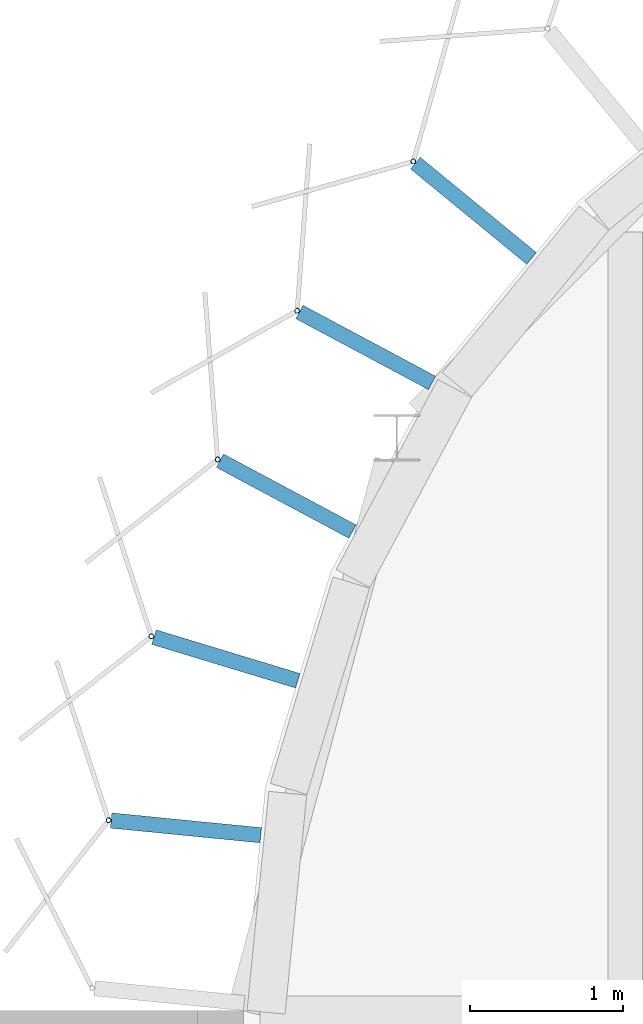
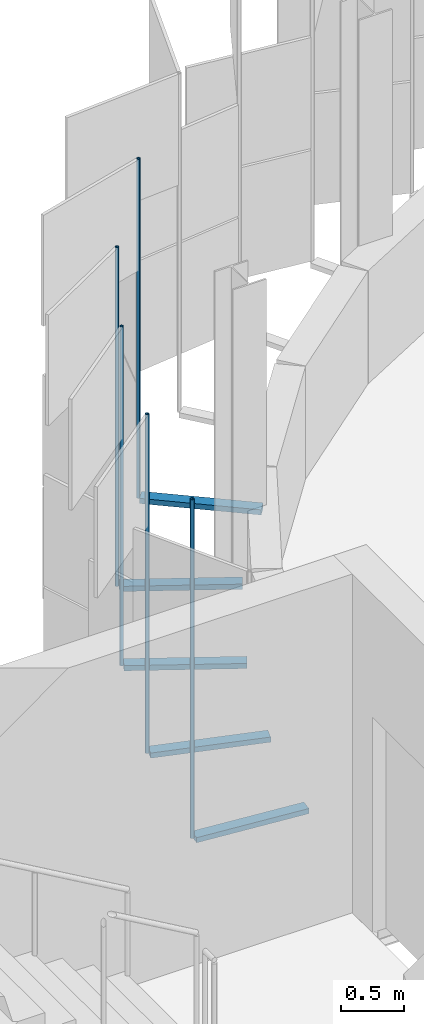
# One storey, part 131 of 198: 10 discrete accessories.
"""IFC4 building model written with IfcOpenShell, lengths in metres."""

import ifcopenshell
import ifcopenshell.guid

model = None  # the IFC model being written
_history = None  # IfcOwnerHistory: only IFC2X3 demands one
_inside = {}  # id of a spatial element -> (the spatial element, [elements in it])
_under = {}  # id of a project, library or spatial element -> (it, [spatial elements below it])
_declared = {}  # id of a project -> (the project, [libraries it declares])
_typed = {}  # id of a type object -> (the type object, [elements of that type])
_made_of = {}  # id of a material, layer set ... -> (it, [elements and type objects made of it])


def new_model(schema):
    """Start an empty IFC model of exactly this schema.

    Asked for "IFC4X3", IfcOpenShell would pick the latest addendum, in which some entities
    have other attributes; the version numbers below select the first issue.
    IFC2X3 requires an IfcOwnerHistory on every rooted entity: one is made here for all.
    """
    global model, _history
    if schema == "IFC4X3":
        model = ifcopenshell.file(schema_version=(4, 3, 0, 0))
    else:
        model = ifcopenshell.file(schema=schema)
    _inside.clear()
    _under.clear()
    _declared.clear()
    _typed.clear()
    _made_of.clear()
    _history = None
    if model.schema == "IFC2X3":
        org = make("IfcOrganization", Name="unknown")
        user = make(
            "IfcPersonAndOrganization",
            ThePerson=make("IfcPerson", FamilyName="unknown"),
            TheOrganization=org,
        )
        app = make(
            "IfcApplication",
            ApplicationDeveloper=org,
            Version="unknown",
            ApplicationFullName="unknown",
            ApplicationIdentifier="unknown",
        )
        _history = make(
            "IfcOwnerHistory",
            OwningUser=user,
            OwningApplication=app,
            ChangeAction="ADDED",
            CreationDate=0,
        )
    return model


def make(cls, **values):
    """One entity of the class cls with the attributes given. An attribute that is None is left unset."""
    return model.create_entity(
        cls, **{name: value for name, value in values.items() if value is not None}
    )


def rooted(cls, **values):
    """An entity with a GlobalId (a new one), such as an element, a storey or a relation."""
    return make(cls, GlobalId=ifcopenshell.guid.new(), OwnerHistory=_history, **values)


def si_unit(unit_type, name, prefix=None):
    """IfcSIUnit, for example si_unit("LENGTHUNIT", "METRE", prefix="MILLI")."""
    return make("IfcSIUnit", UnitType=unit_type, Prefix=prefix, Name=name)


def assignment(units):
    """IfcUnitAssignment: the units of a project."""
    return None if units is None else make("IfcUnitAssignment", Units=units)


def point(xyz):
    """IfcCartesianPoint."""
    return None if xyz is None else make("IfcCartesianPoint", Coordinates=xyz)


def direction(xyz):
    """IfcDirection."""
    return None if xyz is None else make("IfcDirection", DirectionRatios=xyz)


def frame(location, z_axis=None, x_axis=None):
    """IfcAxis2Placement3D, a coordinate frame: its origin and axes. An axis left out is left unset."""
    return make(
        "IfcAxis2Placement3D",
        Location=point(location),
        Axis=direction(z_axis),
        RefDirection=direction(x_axis),
    )


def frame_2d(location, x_axis=None):
    """IfcAxis2Placement2D, a coordinate frame in the plane: its origin and x axis."""
    return make(
        "IfcAxis2Placement2D", Location=point(location), RefDirection=direction(x_axis)
    )


def origin():
    """The frame at (0, 0, 0) with its axes left unset."""
    return frame((0.0, 0.0, 0.0))


def origin_2d():
    """The frame at (0, 0) in the plane with its x axis left unset."""
    return frame_2d((0.0, 0.0))


def place(relative_to, where):
    """IfcLocalPlacement: puts the frame where relative to a parent placement (None: the world)."""
    return make(
        "IfcLocalPlacement", PlacementRelTo=relative_to, RelativePlacement=where
    )


def context(
    kind, dimensions, precision=None, world=None, true_north=None, identifier=None
):
    """IfcGeometricRepresentationContext, for example the 3D "Model" context."""
    return make(
        "IfcGeometricRepresentationContext",
        ContextIdentifier=identifier,
        ContextType=kind,
        CoordinateSpaceDimension=dimensions,
        Precision=precision,
        WorldCoordinateSystem=world,
        TrueNorth=true_north,
    )


def subcontext(parent, identifier, kind, view, scale=None):
    """IfcGeometricRepresentationSubContext, for example "Body" below "Model"."""
    return make(
        "IfcGeometricRepresentationSubContext",
        ContextIdentifier=identifier,
        ContextType=kind,
        ParentContext=parent,
        TargetScale=scale,
        TargetView=view,
    )


def project(units=None, contexts=None):
    """IfcProject with its units and contexts."""
    return rooted(
        "IfcProject",
        Name="project",
        RepresentationContexts=contexts,
        UnitsInContext=assignment(units),
    )


def spatial(cls, under=None, at=None, **own):
    """A site, building, storey or space (cls), placed at a placement, below another one or the project."""
    s = rooted(cls, ObjectPlacement=at, **own)
    if under is not None:
        _under.setdefault(under.id(), (under, []))[1].append(s)
    return s


def profile(cls, at=None, kind="AREA", **sizes):
    """A parametric profile (cls). Its sizes go by their IFC names, for example OverallWidth=200.0."""
    return make(cls, ProfileType=kind, Position=at, **sizes)


def rectangle(**sizes):
    """IfcRectangleProfileDef."""
    return profile("IfcRectangleProfileDef", **sizes)


def hollow_circle(**sizes):
    """IfcCircleHollowProfileDef."""
    return profile("IfcCircleHollowProfileDef", **sizes)


def extrude(swept, where, along, depth):
    """IfcExtrudedAreaSolid: the profile swept, set in the frame where, extruded along a direction by depth."""
    return make(
        "IfcExtrudedAreaSolid",
        SweptArea=swept,
        Position=where,
        ExtrudedDirection=direction(along),
        Depth=depth,
    )


def shape(context_of_items, identifier, shape_type, items):
    """IfcShapeRepresentation: the items that make up one representation, for example the "Body"."""
    return make(
        "IfcShapeRepresentation",
        ContextOfItems=context_of_items,
        RepresentationIdentifier=identifier,
        RepresentationType=shape_type,
        Items=items,
    )


def material(Name=None, Category=None):
    """IfcMaterial."""
    return make("IfcMaterial", Name=Name, Category=Category)


def material_profile(
    of_material, cross_section, Name=None, Category=None, Priority=None
):
    """IfcMaterialProfile: a cross section and its material."""
    return make(
        "IfcMaterialProfile",
        Name=Name,
        Material=of_material,
        Profile=cross_section,
        Priority=Priority,
        Category=Category,
    )


def profile_set(profiles, Name=None, composite=None):
    """IfcMaterialProfileSet."""
    return make(
        "IfcMaterialProfileSet",
        Name=Name,
        MaterialProfiles=profiles,
        CompositeProfile=composite,
    )


def made_of(thing, what):
    """Note that an element or type object is made of a material, layer set ...; save() writes the relation."""
    if what is not None:
        _made_of.setdefault(what.id(), (what, []))[1].append(thing)
    return thing


def type_object(cls, material=None, **own):
    """A type object (cls), such as IfcWallType, which elements share."""
    return made_of(rooted(cls, **own), material)


def element(
    cls,
    number,
    at=None,
    inside=None,
    cuts=None,
    type_object=None,
    material=None,
    context=None,
    identifier="Body",
    shape_type=None,
    held_by="IfcProductDefinitionShape",
    body=None,
    shapes=None,
    **own,
):
    """One element of the class cls, such as IfcWall. Its Tag is "e" and its number.

    at: its placement. inside: the storey or other place that contains it. cuts: it is an
    opening in that element (IfcRelVoidsElement). A single representation is given by context,
    identifier, shape_type and body (its items); several are given by shapes. held_by: the class
    of the entity that holds the representations. save() writes the other relations.
    """
    e = rooted(cls, Tag="e%d" % number, ObjectPlacement=at, **own)
    if body is not None:
        shapes = [shape(context, identifier, shape_type, body)]
    if shapes is not None:
        e.Representation = make(held_by, Representations=shapes)
    if inside is not None:
        _inside.setdefault(inside.id(), (inside, []))[1].append(e)
    if cuts is not None:
        rooted(
            "IfcRelVoidsElement", RelatingBuildingElement=cuts, RelatedOpeningElement=e
        )
    if type_object is not None:
        _typed.setdefault(type_object.id(), (type_object, []))[1].append(e)
    return made_of(e, material)


def aggregate(whole, parts):
    """IfcRelAggregates: a whole, such as a stair, and the parts it consists of."""
    return rooted("IfcRelAggregates", RelatingObject=whole, RelatedObjects=parts)


def save(model, path):
    """Write the relations noted so far, then the file.

    IfcRelAggregates (storeys below a building ...), IfcRelContainedInSpatialStructure (elements
    in a storey), IfcRelDefinesByType, IfcRelAssociatesMaterial and IfcRelDeclares: one each for
    every whole, place, type object, material and project.
    """
    for whole, parts in _under.values():
        aggregate(whole, parts)
    for where, things in _inside.values():
        rooted(
            "IfcRelContainedInSpatialStructure",
            RelatedElements=things,
            RelatingStructure=where,
        )
    for kind, things in _typed.values():
        rooted("IfcRelDefinesByType", RelatedObjects=things, RelatingType=kind)
    for what, things in _made_of.values():
        rooted("IfcRelAssociatesMaterial", RelatedObjects=things, RelatingMaterial=what)
    for by, libraries in _declared.values():
        rooted("IfcRelDeclares", RelatingContext=by, RelatedDefinitions=libraries)
    model.write(path)


model = new_model("IFC4")

# Units and contexts
model_context = context("Model", 3, precision=1e-05, world=origin(), true_north=direction((0.0, 1.0)))
body_context = subcontext(model_context, "Body", "Model", "MODEL_VIEW")
ifc_project = project(units=[si_unit("LENGTHUNIT", "METRE"), si_unit("AREAUNIT", "SQUARE_METRE"), si_unit("VOLUMEUNIT", "CUBIC_METRE"), si_unit("PLANEANGLEUNIT", "RADIAN"), si_unit("MASSUNIT", "GRAM", prefix="KILO")], contexts=[model_context])

# Site, building, storey
site_placement = place(None, origin())
site = spatial("IfcSite", under=ifc_project, at=site_placement, CompositionType="ELEMENT")
building_placement = place(site_placement, origin())
building = spatial("IfcBuilding", under=site, at=building_placement, Name="Parallax Yard Mobility Hub", CompositionType="ELEMENT")
storey_placement = place(building_placement, frame((0.0, 0.0, 6.60009765625)))
storey = spatial("IfcBuildingStorey", under=building, at=storey_placement, Name="L02", CompositionType="ELEMENT", Elevation=6.60009765625)

# Discrete accessories
ifc_material_1 = material(Name="Steel ASTM A36, hot-dip galvanised", Category="steel")
discrete_accessory_type_1 = type_object("IfcDiscreteAccessoryType", Name="Hinge bracket plate 100x50", PredefinedType="BRACKET", material=ifc_material_1)
for number, where, z_axis, x_axis, name in (
    (1, (24.005859375, 140.236328125, -0.02490234375), (0.0, 0.0, 1.0), (-0.773010453363, 0.634393284164, 0.0), "Hinge bracket plate bay 70.7 level L02"),
    (2, (23.30029296875, 139.341796875, -0.02490234375), (0.0, 0.0, 1.0), (-0.881921264348, 0.471396736826, 0.0), "Hinge bracket plate bay 70.8 level L02"),
    (3, (22.77978515625, 138.368408203125, -0.02490234375), (0.0, 0.0, 1.0), (-0.881921264348, 0.471396736826, 0.0), "Hinge bracket plate bay 70.9 level L02"),
    (4, (22.385009765625, 137.302490234375, -0.02490234375), (0.0, 0.0, 1.0), (-0.956940335732, 0.290284677254, 0.0), "Hinge bracket plate bay 70.10 level L02"),
    (5, (22.123779296875, 136.196533203125, -0.02490234375), (0.0, 0.0, 1.0), (-0.995184726672, 0.09801714033, 0.0), "Hinge bracket plate bay 70.11 level L02"),
):
    element("IfcDiscreteAccessory", number, at=place(storey_placement, frame(where, z_axis=z_axis, x_axis=x_axis)), inside=storey, type_object=discrete_accessory_type_1, Name=name, PredefinedType="BRACKET", context=body_context, shape_type="SweptSolid", body=[
        extrude(rectangle(XDim=0.984130859375, YDim=0.10009765625, at=origin_2d()), origin(), (0.0, 0.0, 1.0), 0.050048828125),
    ])
ifc_material_2 = material(Name="Steel ASTM A500 Gr C, hot-dip galvanised", Category="steel")
ifc_material_profile = material_profile(ifc_material_2, hollow_circle(Radius=0.016845703125, WallThickness=0.003173828125, at=origin_2d()), Name="CHS 33.7x3.2")
ifc_profile_set = profile_set([ifc_material_profile], Name="Steel ASTM A500 Gr C, hot-dip galvanised")
discrete_accessory_type_2 = type_object("IfcDiscreteAccessoryType", Name="Hinge post CHS 33.7x3.2", PredefinedType="BRACKET", material=ifc_profile_set)
for number, where, z_axis, x_axis, name in (
    (6, (23.61279296875, 140.55908203125, 0.0), (0.0, 0.0, 1.0), (1.0, 0.0, 0.0), "Hinge post bay 70.7 level L02"),
    (7, (22.851806640625, 139.58154296875, 0.0), (0.0, 0.0, 1.0), (1.0, 0.0, 0.0), "Hinge post bay 70.8 level L02"),
    (8, (22.33154296875, 138.608154296875, 0.0), (0.0, 0.0, 1.0), (1.0, 0.0, 0.0), "Hinge post bay 70.9 level L02"),
    (9, (21.8984375, 137.4501953125, 0.0), (0.0, 0.0, 1.0), (1.0, 0.0, 0.0), "Hinge post bay 70.10 level L02"),
    (10, (21.617919921875, 136.246337890625, 0.0), (0.0, 0.0, 1.0), (1.0, 0.0, 0.0), "Hinge post bay 70.11 level L02"),
):
    element("IfcDiscreteAccessory", number, at=place(storey_placement, frame(where, z_axis=z_axis, x_axis=x_axis)), inside=storey, type_object=discrete_accessory_type_2, Name=name, PredefinedType="BRACKET", context=body_context, shape_type="SweptSolid", body=[
        extrude(hollow_circle(Radius=0.016845703125, WallThickness=0.003173828125, at=origin_2d()), origin(), (0.0, 0.0, 1.0), 3.2998046875),
    ])

save(model, "model.ifc")
